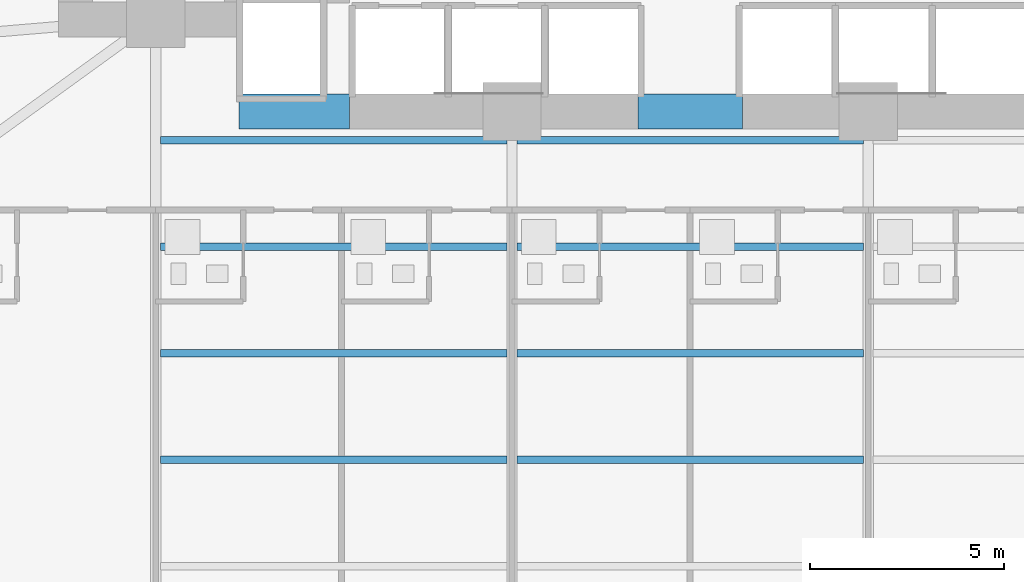
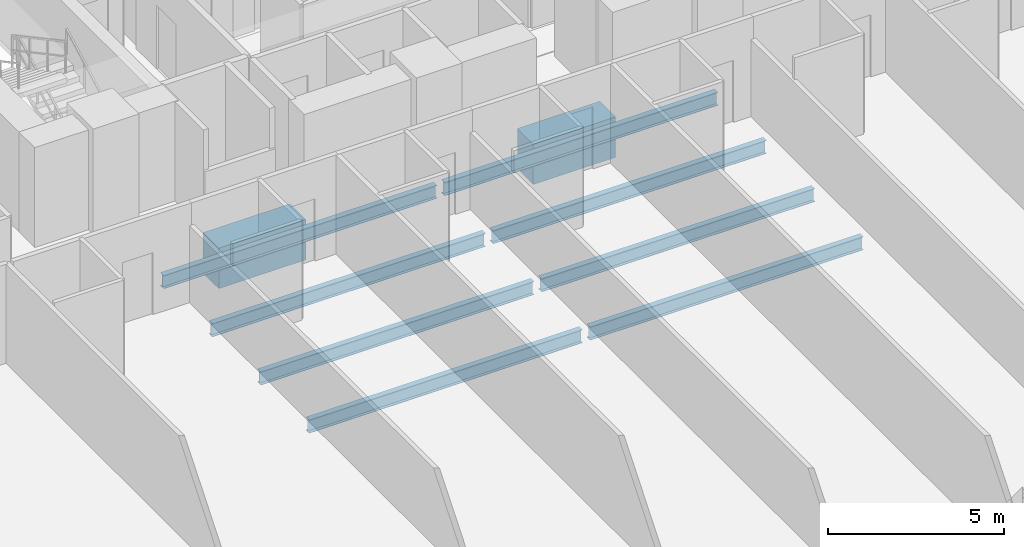
# One storey, part 7 of 29: 10 beams.
"""IFC4 building model written with IfcOpenShell, lengths in metres."""

from ifc_helpers import new_model, si_unit, direction, frame, origin, origin_2d, place, context, subcontext, project, spatial, rectangle, i_section, extrude, material, material_profile, profile_set, type_object, element, save


model = new_model("IFC4")

# Units and contexts
model_context = context("Model", 3, precision=1e-05, world=origin(), true_north=direction((0.0, 1.0)))
body_context = subcontext(model_context, "Body", "Model", "MODEL_VIEW")
ifc_project = project(units=[si_unit("LENGTHUNIT", "METRE"), si_unit("AREAUNIT", "SQUARE_METRE"), si_unit("VOLUMEUNIT", "CUBIC_METRE"), si_unit("PLANEANGLEUNIT", "RADIAN"), si_unit("MASSUNIT", "GRAM", prefix="KILO")], contexts=[model_context])

# Site, building, storey
site_placement = place(None, origin())
site = spatial("IfcSite", under=ifc_project, at=site_placement, CompositionType="ELEMENT")
building_placement = place(site_placement, origin())
building = spatial("IfcBuilding", under=site, at=building_placement, Name="Zuhayl Quay Hotel", CompositionType="ELEMENT")
storey_placement = place(building_placement, frame((0.0, 0.0, 67.75)))
storey = spatial("IfcBuildingStorey", under=building, at=storey_placement, Name="L16", CompositionType="ELEMENT", Elevation=67.75)

# Beams
ifc_material_1 = material(Name="Concrete C60/75", Category="concrete")
ifc_material_profile_1 = material_profile(ifc_material_1, rectangle(XDim=0.89990234375, YDim=1.39990234375, at=origin_2d()), Name="RC900X1400")
ifc_profile_set_1 = profile_set([ifc_material_profile_1], Name="Concrete C60/75")
beam_type_1 = type_object("IfcBeamType", Name="BM_CB1_RC900", PredefinedType="T_BEAM", material=ifc_profile_set_1)
beam_1_placement = place(storey_placement, frame((-11.64990234375, 2.14990234375, -0.919921875), z_axis=(1.0, 0.0, 0.0), x_axis=(0.0, 1.0, 0.0)))
element("IfcBeam", 1, at=beam_1_placement, inside=storey, type_object=beam_type_1, Name="L16 Core Coupling Beam SW", PredefinedType="T_BEAM", context=body_context, shape_type="SweptSolid", body=[
    extrude(rectangle(XDim=0.89990234375, YDim=1.39990234375, at=origin_2d()), origin(), (0.0, 0.0, 1.0), 2.849853515625),
])
beam_2_placement = place(storey_placement, frame((-1.35009765625, 2.14990234375, -0.919921875), z_axis=(1.0, 0.0, 0.0), x_axis=(0.0, 1.0, 0.0)))
element("IfcBeam", 2, at=beam_2_placement, inside=storey, type_object=beam_type_1, Name="L16 Core Coupling Beam South", PredefinedType="T_BEAM", context=body_context, shape_type="SweptSolid", body=[
    extrude(rectangle(XDim=0.89990234375, YDim=1.39990234375, at=origin_2d()), origin(), (0.0, 0.0, 1.0), 2.7001953125),
])
ifc_material_2 = material(Name="Steel ASTM A992 Grade 50", Category="steel")
ifc_material_profile_2 = material_profile(ifc_material_2, i_section(OverallWidth=0.18994140625, OverallDepth=0.45703125, WebThickness=0.009033203125, FlangeThickness=0.014404296875, at=origin_2d()), Name="W18X50")
ifc_profile_set_2 = profile_set([ifc_material_profile_2], Name="Steel ASTM A992 Grade 50")
beam_type_2 = type_object("IfcBeamType", Name="BM_J2_W18X50", PredefinedType="JOIST", material=ifc_profile_set_2)
beam_3_placement = place(storey_placement, frame((-13.674560546875, -6.85009765625, -0.448486328125), z_axis=(1.0, 0.0, 0.0), x_axis=(0.0, 1.0, 0.0)))
element("IfcBeam", 3, at=beam_3_placement, inside=storey, type_object=beam_type_2, Name="L16 Floor Beam FJ_L16_7_1", PredefinedType="JOIST", context=body_context, shape_type="SweptSolid", body=[
    extrude(i_section(OverallWidth=0.18994140625, OverallDepth=0.45703125, WebThickness=0.009033203125, FlangeThickness=0.014404296875, at=origin_2d()), origin(), (0.0, 0.0, 1.0), 8.948974609375),
])
beam_4_placement = place(storey_placement, frame((-4.474609375, -6.85009765625, -0.448486328125), z_axis=(1.0, 0.0, 0.0), x_axis=(0.0, 1.0, 0.0)))
element("IfcBeam", 4, at=beam_4_placement, inside=storey, type_object=beam_type_2, Name="L16 Floor Beam FJ_L16_7_2", PredefinedType="JOIST", context=body_context, shape_type="SweptSolid", body=[
    extrude(i_section(OverallWidth=0.18994140625, OverallDepth=0.45703125, WebThickness=0.009033203125, FlangeThickness=0.014404296875, at=origin_2d()), origin(), (0.0, 0.0, 1.0), 8.94921875),
])
beam_5_placement = place(storey_placement, frame((-13.674560546875, -4.10009765625, -0.448486328125), z_axis=(1.0, 0.0, 0.0), x_axis=(0.0, 1.0, 0.0)))
element("IfcBeam", 5, at=beam_5_placement, inside=storey, type_object=beam_type_2, Name="L16 Floor Beam FJ_L16_8_1", PredefinedType="JOIST", context=body_context, shape_type="SweptSolid", body=[
    extrude(i_section(OverallWidth=0.18994140625, OverallDepth=0.45703125, WebThickness=0.009033203125, FlangeThickness=0.014404296875, at=origin_2d()), origin(), (0.0, 0.0, 1.0), 8.948974609375),
])
beam_6_placement = place(storey_placement, frame((-4.474609375, -4.10009765625, -0.448486328125), z_axis=(1.0, 0.0, 0.0), x_axis=(0.0, 1.0, 0.0)))
element("IfcBeam", 6, at=beam_6_placement, inside=storey, type_object=beam_type_2, Name="L16 Floor Beam FJ_L16_8_2", PredefinedType="JOIST", context=body_context, shape_type="SweptSolid", body=[
    extrude(i_section(OverallWidth=0.18994140625, OverallDepth=0.45703125, WebThickness=0.009033203125, FlangeThickness=0.014404296875, at=origin_2d()), origin(), (0.0, 0.0, 1.0), 8.94921875),
])
beam_7_placement = place(storey_placement, frame((-13.674560546875, -1.35009765625, -0.448486328125), z_axis=(1.0, 0.0, 0.0), x_axis=(0.0, 1.0, 0.0)))
element("IfcBeam", 7, at=beam_7_placement, inside=storey, type_object=beam_type_2, Name="L16 Floor Beam FJ_L16_9_1", PredefinedType="JOIST", context=body_context, shape_type="SweptSolid", body=[
    extrude(i_section(OverallWidth=0.18994140625, OverallDepth=0.45703125, WebThickness=0.009033203125, FlangeThickness=0.014404296875, at=origin_2d()), origin(), (0.0, 0.0, 1.0), 8.948974609375),
])
beam_8_placement = place(storey_placement, frame((-4.474609375, -1.35009765625, -0.448486328125), z_axis=(1.0, 0.0, 0.0), x_axis=(0.0, 1.0, 0.0)))
element("IfcBeam", 8, at=beam_8_placement, inside=storey, type_object=beam_type_2, Name="L16 Floor Beam FJ_L16_9_2", PredefinedType="JOIST", context=body_context, shape_type="SweptSolid", body=[
    extrude(i_section(OverallWidth=0.18994140625, OverallDepth=0.45703125, WebThickness=0.009033203125, FlangeThickness=0.014404296875, at=origin_2d()), origin(), (0.0, 0.0, 1.0), 8.94921875),
])
beam_9_placement = place(storey_placement, frame((-13.674560546875, 1.39990234375, -0.448486328125), z_axis=(1.0, 0.0, 0.0), x_axis=(0.0, 1.0, 0.0)))
element("IfcBeam", 9, at=beam_9_placement, inside=storey, type_object=beam_type_2, Name="L16 Floor Beam FJ_L16_10_1", PredefinedType="JOIST", context=body_context, shape_type="SweptSolid", body=[
    extrude(i_section(OverallWidth=0.18994140625, OverallDepth=0.45703125, WebThickness=0.009033203125, FlangeThickness=0.014404296875, at=origin_2d()), origin(), (0.0, 0.0, 1.0), 8.948974609375),
])
beam_10_placement = place(storey_placement, frame((-4.474609375, 1.39990234375, -0.448486328125), z_axis=(1.0, 0.0, 0.0), x_axis=(0.0, 1.0, 0.0)))
element("IfcBeam", 10, at=beam_10_placement, inside=storey, type_object=beam_type_2, Name="L16 Floor Beam FJ_L16_10_2", PredefinedType="JOIST", context=body_context, shape_type="SweptSolid", body=[
    extrude(i_section(OverallWidth=0.18994140625, OverallDepth=0.45703125, WebThickness=0.009033203125, FlangeThickness=0.014404296875, at=origin_2d()), origin(), (0.0, 0.0, 1.0), 8.94921875),
])

save(model, "model.ifc")
